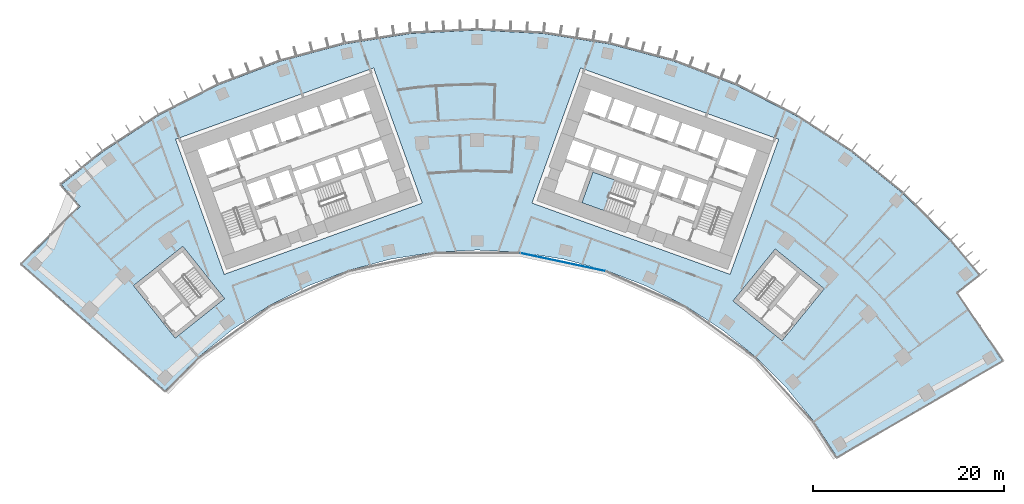
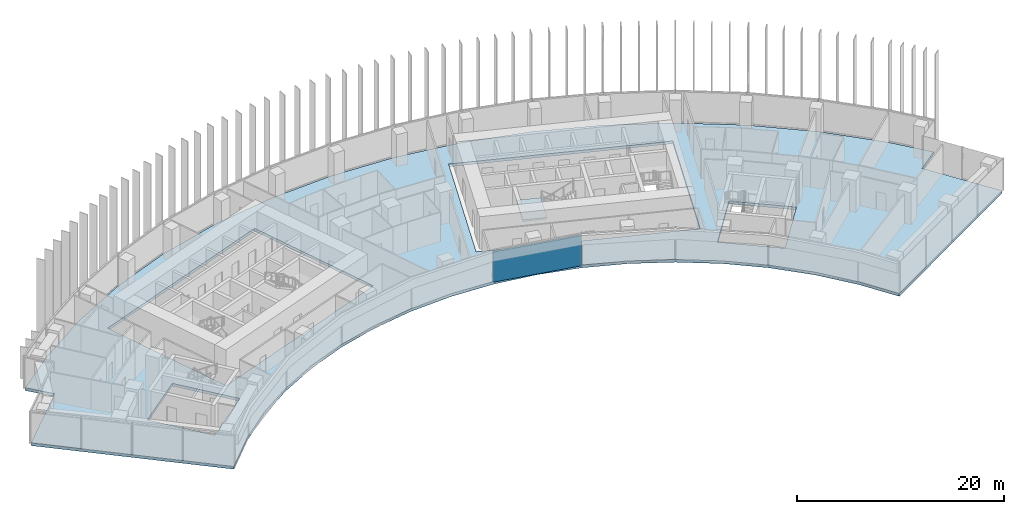
# One storey, part 13 of 22: 2 slabs, 1 plate, 2 elements without a shape of their own.
"""IFC4 building model written with IfcOpenShell, lengths in metres."""

from ifc_helpers import new_model, si_unit, direction, frame, origin, origin_2d, place, context, subcontext, project, spatial, polyline, rectangle, outline, extrude, material, layer, layer_set, type_object, element, aggregate, save


model = new_model("IFC4")

# Units and contexts
model_context = context("Model", 3, precision=1e-05, world=origin(), true_north=direction((0.0, 1.0)))
body_context = subcontext(model_context, "Body", "Model", "MODEL_VIEW")
ifc_project = project(units=[si_unit("LENGTHUNIT", "METRE"), si_unit("AREAUNIT", "SQUARE_METRE"), si_unit("VOLUMEUNIT", "CUBIC_METRE"), si_unit("PLANEANGLEUNIT", "RADIAN"), si_unit("MASSUNIT", "GRAM", prefix="KILO")], contexts=[model_context])

# Site, building, storey
site_placement = place(None, origin())
site = spatial("IfcSite", under=ifc_project, at=site_placement, CompositionType="ELEMENT")
building_placement = place(site_placement, origin())
building = spatial("IfcBuilding", under=site, at=building_placement, Name="Stone Belt Terrace Tower", CompositionType="ELEMENT")
storey_placement = place(building_placement, frame((0.0, 0.0, 121.199951171875)))
storey = spatial("IfcBuildingStorey", under=building, at=storey_placement, Name="L29", CompositionType="ELEMENT", Elevation=121.199951171875)

# Curtain wall, plate
ifc_material_1 = material(Name="Aluminium 6063-T6 anodised frame", Category="aluminium")
ifc_layer_1 = layer(ifc_material_1, 0.14990234375)
ifc_layer_set_1 = layer_set([ifc_layer_1], Name="CW-B unitised concave-face curtain wall")
curtain_wall_type = type_object("IfcCurtainWallType", Name="CW-B unitised concave-face curtain wall", PredefinedType="NOTDEFINED", material=ifc_layer_set_1)
curtain_wall_placement = place(storey_placement, origin())
curtain_wall = element("IfcCurtainWall", 1, at=curtain_wall_placement, inside=storey, type_object=curtain_wall_type, Name="CW-B concave face L29", PredefinedType="NOTDEFINED")
ifc_material_2 = material(Name="Clear double glazed unit")
ifc_layer_2 = layer(ifc_material_2, 0.030029296875)
ifc_layer_set_2 = layer_set([ifc_layer_2], Name="CW-B glass panel 30")
plate_type = type_object("IfcPlateType", Name="CW-B glass panel 30", PredefinedType="CURTAIN_PANEL", material=ifc_layer_set_2)
plate_placement = place(storey_placement, frame((8.97900390625, 42.242919921875, 0.0), z_axis=(0.0, 0.0, 1.0), x_axis=(0.978147600734, -0.207911690818, 0.0)))
plate = element("IfcPlate", 2, at=plate_placement, type_object=plate_type, Name="CW-B panel 6.1", PredefinedType="CURTAIN_PANEL", context=body_context, shape_type="SweptSolid", body=[
    extrude(rectangle(XDim=9.0126953125, YDim=0.030029296875, at=origin_2d()), origin(), (0.0, 0.0, 1.0), 3.679931640625),
])
aggregate(curtain_wall, [plate])

# Slab
ifc_material_3 = material(Name="Concrete B40", Category="concrete")
ifc_layer_3 = layer(ifc_material_3, 0.320068359375)
ifc_layer_set_3 = layer_set([ifc_layer_3], Name="Floor slab 320 B40")
slab_type_1 = type_object("IfcSlabType", Name="Floor slab 320 B40", PredefinedType="FLOOR", material=ifc_layer_set_3)
slab_1_placement = place(storey_placement, frame((0.0, 0.0, -0.320068359375)))
element("IfcSlab", 3, at=slab_1_placement, inside=storey, type_object=slab_type_1, Name="Floor slab L29", PredefinedType="FLOOR", context=body_context, shape_type="SweptSolid", body=[
    extrude(outline(polyline([(-39.087646484375, 53.799560546875), (-33.25, 57.5908203125), (-27.048095703125, 60.750732421875), (-20.549560546875, 63.245361328125), (-13.826171875, 65.046875), (-6.951171875, 66.1357421875), (0.0, 66.5), (6.951171875, 66.1357421875), (13.826171875, 65.046875), (20.549560546875, 63.245361328125), (27.048095703125, 60.750732421875), (33.25, 57.5908203125), (39.087646484375, 53.799560546875), (44.497314453125, 49.419189453125), (49.419189453125, 44.497314453125), (52.4326171875, 40.9033203125), (50.067138671875, 39.05810546875), (54.879150390625, 31.945556640625), (37.594482421875, 21.884033203125), (35.192138671875, 25.568603515625), (32.326904296875, 29.107177734375), (29.107177734375, 32.326904296875), (25.568603515625, 35.192138671875), (21.75, 37.672119140625), (17.693115234375, 39.7392578125), (13.442138671875, 41.37109375), (9.044189453125, 42.54931640625), (4.547119140625, 43.26171875), (0.0, 43.5), (-4.547119140625, 43.26171875), (-9.044189453125, 42.54931640625), (-13.442138671875, 41.37109375), (-17.693115234375, 39.7392578125), (-21.75, 37.672119140625), (-25.568603515625, 35.192138671875), (-29.107177734375, 32.326904296875), (-32.326904296875, 29.107177734375), (-32.602294921875, 28.79833984375), (-47.591796875, 42.038818359375), (-41.484619140625, 48.07568359375), (-43.4443359375, 50.34716796875), (-39.087646484375, 53.799560546875)]), holes=[polyline([(-26.434814453125, 40.968994140625), (-5.734619140625, 48.418701171875), (-10.81396484375, 62.532470703125), (-31.51416015625, 55.082763671875), (-26.434814453125, 40.968994140625)]), polyline([(10.81396484375, 62.532470703125), (5.734619140625, 48.418701171875), (26.434814453125, 40.968994140625), (31.51416015625, 55.082763671875), (10.81396484375, 62.532470703125)]), polyline([(-35.91796875, 39.787353515625), (-31.55615234375, 34.3125), (-26.39404296875, 38.425048828125), (-30.756103515625, 43.89990234375), (-35.91796875, 39.787353515625)]), polyline([(36.2783203125, 39.459228515625), (31.15380859375, 43.61865234375), (26.742431640625, 38.18359375), (31.86669921875, 34.024169921875), (36.2783203125, 39.459228515625)])]), origin(), (0.0, 0.0, 1.0), 0.320068359375),
])

# Stair, slab
stair_type = type_object("IfcStairType", Name="Exit stair 1500", PredefinedType="HALF_TURN_STAIR", material=ifc_material_3)
stair_placement = place(storey_placement, origin())
stair = element("IfcStair", 4, at=stair_placement, inside=storey, type_object=stair_type, Name="L29 Exit stair 2 core B", PredefinedType="HALF_TURN_STAIR")
ifc_layer_4 = layer(ifc_material_3, 0.199951171875)
ifc_layer_set_4 = layer_set([ifc_layer_4], Name="Stair landing 200")
slab_type_2 = type_object("IfcSlabType", Name="Stair landing 200", PredefinedType="LANDING", material=ifc_layer_set_4)
slab_2_placement = place(storey_placement, frame((0.0, 0.0, 1.699951171875)))
slab_2 = element("IfcSlab", 5, at=slab_2_placement, type_object=slab_type_2, Name="ST2B landing 1", PredefinedType="LANDING", context=body_context, shape_type="SweptSolid", body=[
    extrude(outline(polyline([(14.36474609375, 50.839111328125), (12.10595703125, 51.652099609375), (10.95458984375, 48.453125), (13.213623046875, 47.64013671875), (14.36474609375, 50.839111328125)])), origin(), (0.0, 0.0, 1.0), 0.2001953125),
])
aggregate(stair, [slab_2])

save(model, "model.ifc")
